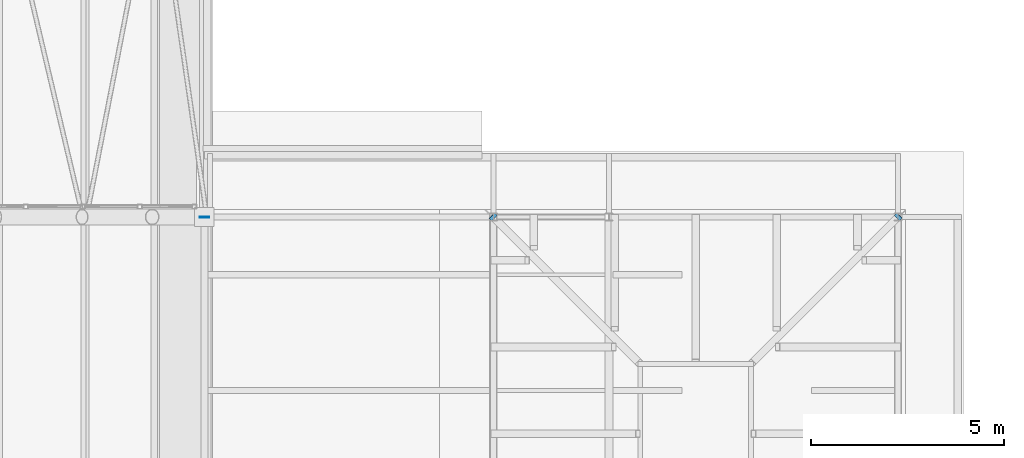
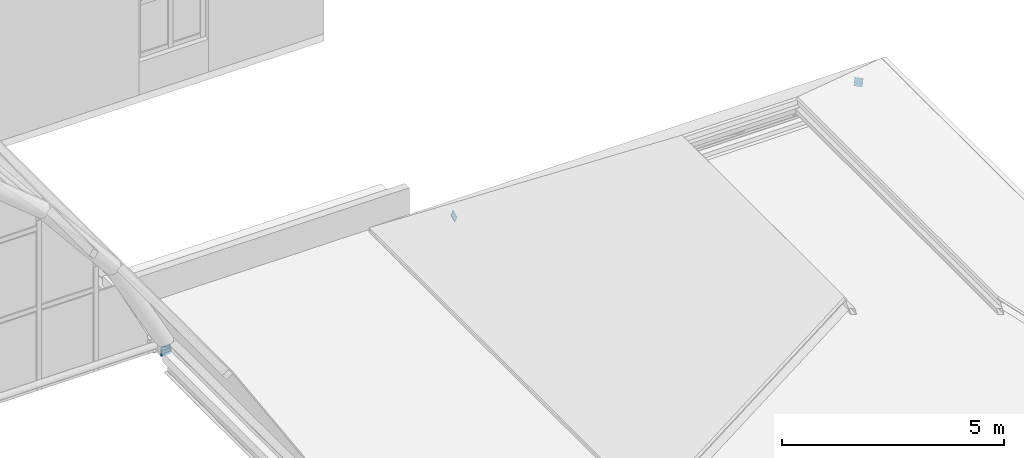
# One storey, part 109 of 121: 3 discrete accessories.
"""IFC4 building model written with IfcOpenShell, lengths in metres."""

from ifc_helpers import new_model, si_unit, direction, frame, origin, origin_2d, place, context, subcontext, project, spatial, rectangle, extrude, material, material_profile, profile_set, type_object, element, save


model = new_model("IFC4")

# Units and contexts
model_context = context("Model", 3, precision=1e-05, world=origin(), true_north=direction((0.0, 1.0)))
body_context = subcontext(model_context, "Body", "Model", "MODEL_VIEW")
ifc_project = project(units=[si_unit("LENGTHUNIT", "METRE"), si_unit("AREAUNIT", "SQUARE_METRE"), si_unit("VOLUMEUNIT", "CUBIC_METRE"), si_unit("PLANEANGLEUNIT", "RADIAN"), si_unit("MASSUNIT", "GRAM", prefix="KILO")], contexts=[model_context])

# Site, building, storey
site_placement = place(None, origin())
site = spatial("IfcSite", under=ifc_project, at=site_placement, CompositionType="ELEMENT")
building_placement = place(site_placement, origin())
building = spatial("IfcBuilding", under=site, at=building_placement, Name="Golden Quay Civic Hall", CompositionType="ELEMENT")
storey_placement = place(building_placement, frame((0.0, 0.0, 18.60009765625)))
storey = spatial("IfcBuildingStorey", under=building, at=storey_placement, Name="L04", CompositionType="ELEMENT", Elevation=18.60009765625)

# Discrete accessories
ifc_material_1 = material(Name="Steel S355", Category="steel")
ifc_material_profile_1 = material_profile(ifc_material_1, rectangle(XDim=0.199951171875, YDim=0.199951171875, at=origin_2d()), Name="Steel end cap plate 200x200x16")
ifc_profile_set_1 = profile_set([ifc_material_profile_1], Name="Steel S355")
discrete_accessory_type_1 = type_object("IfcDiscreteAccessoryType", Name="Steel end cap plate 200x200x16", PredefinedType="BRACKET", material=ifc_profile_set_1)
for number, where, z_axis, x_axis, name in (
    (1, (106.5, 54.0, 0.92822265625), (-0.628025291884, 0.628025291884, -0.459530701378), (-0.707106781187, -0.707106781187, 0.0), "End cap hip rafter EM-N north-west"),
    (2, (117.0, 54.0, 0.92822265625), (0.628025291884, 0.628025291884, -0.459530701378), (-0.707106781187, 0.707106781187, 0.0), "End cap hip rafter EM-N north-east"),
):
    element("IfcDiscreteAccessory", number, at=place(storey_placement, frame(where, z_axis=z_axis, x_axis=x_axis)), inside=storey, type_object=discrete_accessory_type_1, Name=name, PredefinedType="BRACKET", context=body_context, shape_type="SweptSolid", body=[
        extrude(rectangle(XDim=0.199951171875, YDim=0.199951171875, at=origin_2d()), origin(), (0.0, 0.0, 1.0), 0.015869140625),
    ])
ifc_material_2 = material(Name="Steel S355", Category="steel")
ifc_material_profile_2 = material_profile(ifc_material_2, rectangle(XDim=0.25, YDim=0.25, at=origin_2d()), Name="Steel end cap plate 250x250x16")
ifc_profile_set_2 = profile_set([ifc_material_profile_2], Name="Steel S355")
discrete_accessory_type_2 = type_object("IfcDiscreteAccessoryType", Name="Steel end cap plate 250x250x16", PredefinedType="BRACKET", material=ifc_profile_set_2)
discrete_accessory_placement = place(storey_placement, frame((99.0, 53.98388671875, -0.125), z_axis=(0.0, 1.0, 0.0), x_axis=(-1.0, 0.0, 0.0)))
element("IfcDiscreteAccessory", 3, at=discrete_accessory_placement, inside=storey, type_object=discrete_accessory_type_2, Name="End cap roof edge beam east", PredefinedType="BRACKET", context=body_context, shape_type="SweptSolid", body=[
    extrude(rectangle(XDim=0.25, YDim=0.25, at=origin_2d()), origin(), (0.0, 0.0, 1.0), 0.01611328125),
])

save(model, "model.ifc")
